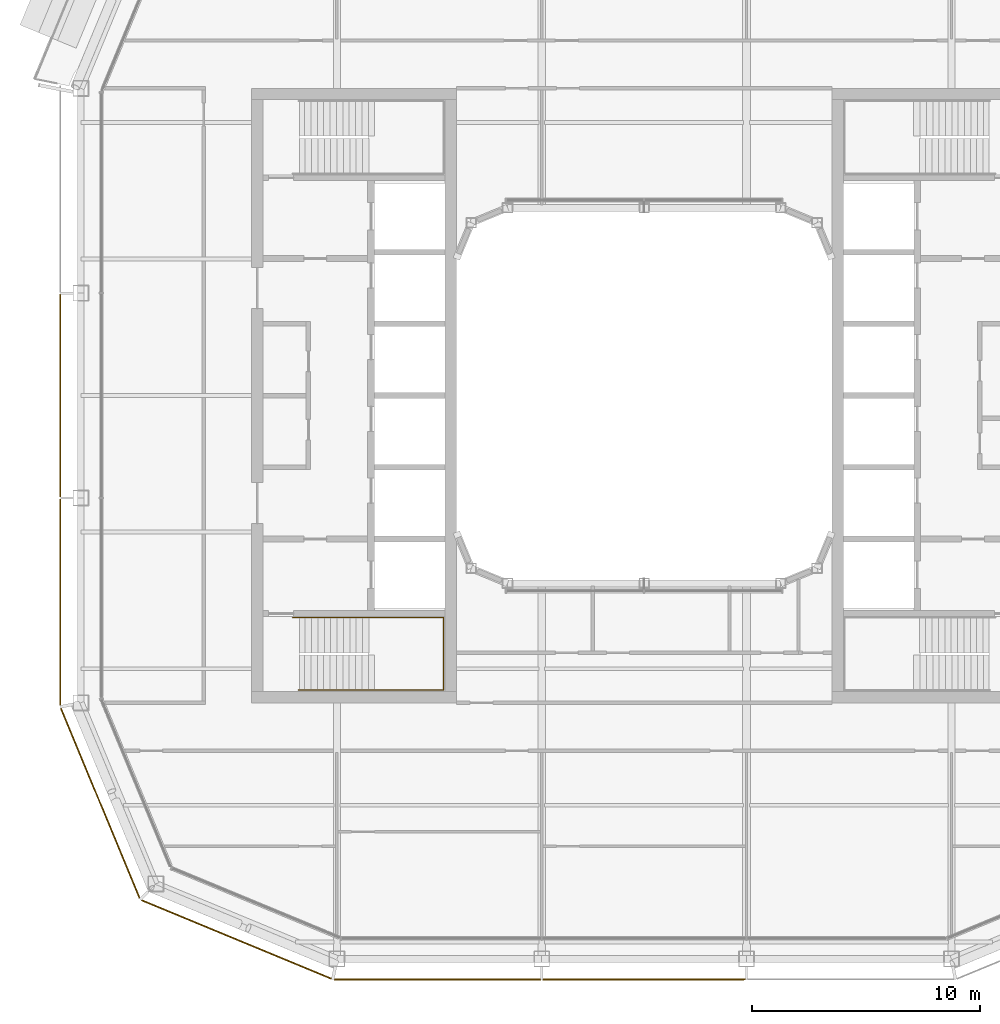
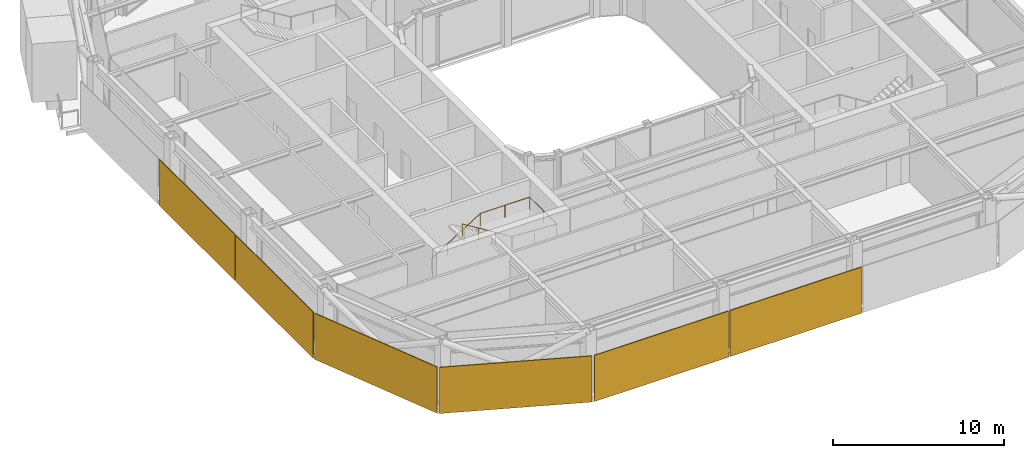
# One storey, part 18 of 22: 6 coverings, 1 railing.
"""IFC4 building model written with IfcOpenShell, lengths in metres."""

from ifc_helpers import new_model, si_unit, direction, frame, origin, origin_2d, place, context, subcontext, project, spatial, rectangle, circle, extrude, material, layer, layer_set, type_object, element, save


model = new_model("IFC4")

# Units and contexts
model_context = context("Model", 3, precision=1e-05, world=origin(), true_north=direction((0.0, 1.0)))
body_context = subcontext(model_context, "Body", "Model", "MODEL_VIEW")
ifc_project = project(units=[si_unit("LENGTHUNIT", "METRE"), si_unit("AREAUNIT", "SQUARE_METRE"), si_unit("VOLUMEUNIT", "CUBIC_METRE"), si_unit("PLANEANGLEUNIT", "RADIAN"), si_unit("MASSUNIT", "GRAM", prefix="KILO")], contexts=[model_context])

# Site, building, storey
site_placement = place(None, origin())
site = spatial("IfcSite", under=ifc_project, at=site_placement, CompositionType="ELEMENT")
building_placement = place(site_placement, origin())
building = spatial("IfcBuilding", under=site, at=building_placement, Name="Siwar Civic Tower", CompositionType="ELEMENT")
storey_placement = place(building_placement, frame((0.0, 0.0, 330.199951171875)))
storey = spatial("IfcBuildingStorey", under=building, at=storey_placement, Name="L71", CompositionType="ELEMENT", Elevation=330.199951171875)

# Railing
ifc_material_1 = material(Name="Stainless steel", Category="steel")
railing_type = type_object("IfcRailingType", Name="CORE-STAIR-HANDRAIL", PredefinedType="HANDRAIL", material=ifc_material_1)
railing_placement = place(storey_placement, frame((-15.449951171875, -9.758056640625, 0.173095703125)))
element("IfcRailing", 1, at=railing_placement, inside=storey, type_object=railing_type, Name="Stair handrail ST2", PredefinedType="HANDRAIL", context=body_context, shape_type="SweptSolid", body=[
    extrude(circle(Radius=0.02001953125, at=origin_2d()), frame((0.0, 0.0, 0.8798828125), z_axis=(0.847063342986, 0.0, 0.531491950051), x_axis=(0.0, 1.0, 0.0)), (0.0, 0.0, 1.0), 3.90771484375),
    extrude(circle(Radius=0.02001953125, at=origin_2d()), frame((3.31005859375, 0.0, 2.956787109375), z_axis=(1.0, 0.0, 0.0), x_axis=(0.0, 1.0, 0.0)), (0.0, 0.0, 1.0), 3.331787109375),
    extrude(circle(Radius=0.02001953125, at=origin_2d()), frame((6.641845703125, 0.0, 2.956787109375), z_axis=(0.0, -1.0, 0.0), x_axis=(1.0, 0.0, 0.0)), (0.0, 0.0, 1.0), 3.183837890625),
    extrude(circle(Radius=0.02001953125, at=origin_2d()), frame((6.641845703125, -3.183837890625, 2.956787109375), z_axis=(-0.99837434197, 0.0, 0.056997134106), x_axis=(0.0, -1.0, 0.0)), (0.0, 0.0, 1.0), 3.036865234375),
    extrude(circle(Radius=0.02001953125, at=origin_2d()), frame((3.60986328125, -3.183837890625, 3.1298828125), z_axis=(-0.850606129759, 0.0, 0.525803396734), x_axis=(0.0, -1.0, 0.0)), (0.0, 0.0, 1.0), 3.949951171875),
    extrude(circle(Radius=0.02001953125, at=origin_2d()), origin(), (0.0, 0.0, 1.0), 0.85986328125),
    extrude(circle(Radius=0.02001953125, at=origin_2d()), frame((1.103271484375, 0.0, 0.6923828125)), (0.0, 0.0, 1.0), 0.85986328125),
    extrude(circle(Radius=0.02001953125, at=origin_2d()), frame((2.206787109375, 0.0, 1.384521484375)), (0.0, 0.0, 1.0), 0.85986328125),
    extrude(circle(Radius=0.02001953125, at=origin_2d()), frame((3.31005859375, 0.0, 2.076904296875)), (0.0, 0.0, 1.0), 0.85986328125),
    extrude(circle(Radius=0.02001953125, at=origin_2d()), frame((4.97607421875, 0.0, 2.076904296875)), (0.0, 0.0, 1.0), 0.85986328125),
    extrude(circle(Radius=0.02001953125, at=origin_2d()), frame((6.641845703125, 0.0, 2.076904296875)), (0.0, 0.0, 1.0), 0.85986328125),
    extrude(circle(Radius=0.02001953125, at=origin_2d()), frame((6.641845703125, -1.591796875, 2.076904296875)), (0.0, 0.0, 1.0), 0.85986328125),
    extrude(circle(Radius=0.02001953125, at=origin_2d()), frame((6.641845703125, -3.183837890625, 2.076904296875)), (0.0, 0.0, 1.0), 0.85986328125),
    extrude(circle(Radius=0.02001953125, at=origin_2d()), frame((5.1259765625, -3.183837890625, 2.16357421875)), (0.0, 0.0, 1.0), 0.85986328125),
    extrude(circle(Radius=0.02001953125, at=origin_2d()), frame((3.60986328125, -3.183837890625, 2.25)), (0.0, 0.0, 1.0), 0.85986328125),
    extrude(circle(Radius=0.02001953125, at=origin_2d()), frame((2.489990234375, -3.183837890625, 2.9423828125)), (0.0, 0.0, 1.0), 0.85986328125),
    extrude(circle(Radius=0.02001953125, at=origin_2d()), frame((1.369873046875, -3.183837890625, 3.634521484375)), (0.0, 0.0, 1.0), 0.85986328125),
    extrude(circle(Radius=0.02001953125, at=origin_2d()), frame((0.25, -3.183837890625, 4.326904296875)), (0.0, 0.0, 1.0), 0.85986328125),
])

# Coverings
ifc_material_2 = material(Name="Perforated aluminium cassette, pale metal", Category="aluminium")
ifc_layer_1 = layer(ifc_material_2, 0.050048828125)
ifc_layer_set_1 = layer_set([ifc_layer_1], Name="Perforated aluminium cassette, pale metal")
covering_type_1 = type_object("IfcCoveringType", Name="ENV-OUTER SKIN OS-3", PredefinedType="CLADDING", material=ifc_layer_set_1)
covering_1_placement = place(storey_placement, frame((-25.64990234375, 0.0, -0.14990234375), z_axis=(0.0, 0.0, 1.0), x_axis=(0.0, -1.0, 0.0)))
element("IfcCovering", 2, at=covering_1_placement, inside=storey, type_object=covering_type_1, Name="OUTER SKIN OS-3 W 2", PredefinedType="CLADDING", context=body_context, shape_type="SweptSolid", body=[
    extrude(rectangle(XDim=8.89990234375, YDim=0.050048828125, at=origin_2d()), origin(), (0.0, 0.0, 1.0), 3.300048828125),
])
covering_2_placement = place(storey_placement, frame((-25.64990234375, -9.07958984375, -0.14990234375), z_axis=(0.0, 0.0, 1.0), x_axis=(0.0, -1.0, 0.0)))
element("IfcCovering", 3, at=covering_2_placement, inside=storey, type_object=covering_type_1, Name="OUTER SKIN OS-3 W 3", PredefinedType="CLADDING", context=body_context, shape_type="SweptSolid", body=[
    extrude(rectangle(XDim=9.05908203125, YDim=0.050048828125, at=origin_2d()), origin(), (0.0, 0.0, 1.0), 3.300048828125),
])
ifc_material_3 = material(Name="Perforated aluminium cassette, pale metal", Category="aluminium")
ifc_layer_2 = layer(ifc_material_3, 0.054931640625)
ifc_layer_set_2 = layer_set([ifc_layer_2], Name="Perforated aluminium cassette, pale metal")
covering_type_2 = type_object("IfcCoveringType", Name="ENV-OUTER SKIN OS-4", PredefinedType="CLADDING", material=ifc_layer_set_2)
covering_3_placement = place(storey_placement, frame((-9.07958984375, -25.64990234375, -0.14990234375), z_axis=(0.0, 0.0, 1.0), x_axis=(1.0, 0.0, 0.0)))
element("IfcCovering", 4, at=covering_3_placement, inside=storey, type_object=covering_type_2, Name="OUTER SKIN OS-4 S 1", PredefinedType="CLADDING", context=body_context, shape_type="SweptSolid", body=[
    extrude(rectangle(XDim=9.05908203125, YDim=0.054931640625, at=origin_2d()), origin(), (0.0, 0.0, 1.0), 3.300048828125),
])
covering_4_placement = place(storey_placement, frame((0.0, -25.64990234375, -0.14990234375), z_axis=(0.0, 0.0, 1.0), x_axis=(1.0, 0.0, 0.0)))
element("IfcCovering", 5, at=covering_4_placement, inside=storey, type_object=covering_type_2, Name="OUTER SKIN OS-4 S 2", PredefinedType="CLADDING", context=body_context, shape_type="SweptSolid", body=[
    extrude(rectangle(XDim=8.89990234375, YDim=0.054931640625, at=origin_2d()), origin(), (0.0, 0.0, 1.0), 3.300048828125),
])
for number, where, z_axis, x_axis, name in (
    (6, (-23.89697265625, -17.911376953125, -0.14990234375), (0.0, 0.0, 1.0), (0.382683432365, -0.923879532511, 0.0), "OUTER SKIN OS-4 SW1 1"),
    (7, (-17.911376953125, -23.89697265625, -0.14990234375), (0.0, 0.0, 1.0), (0.923879532511, -0.382683432365, 0.0), "OUTER SKIN OS-4 SW2 1"),
):
    element("IfcCovering", number, at=place(storey_placement, frame(where, z_axis=z_axis, x_axis=x_axis)), inside=storey, type_object=covering_type_2, Name=name, PredefinedType="CLADDING", context=body_context, shape_type="SweptSolid", body=[
        extrude(rectangle(XDim=9.022216796875, YDim=0.054931640625, at=origin_2d()), origin(), (0.0, 0.0, 1.0), 3.300048828125),
    ])

save(model, "model.ifc")
